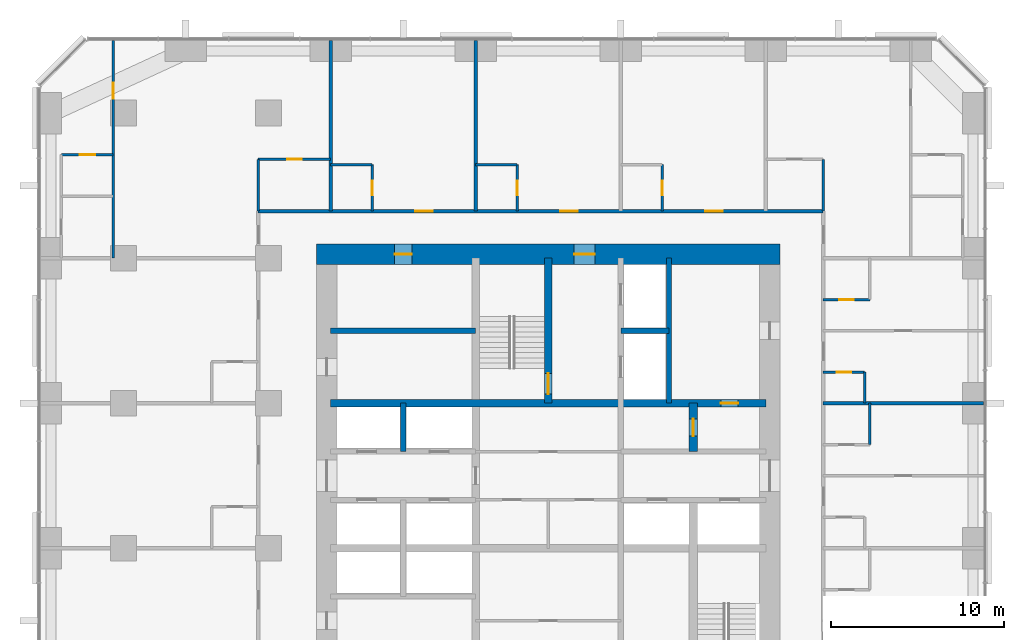
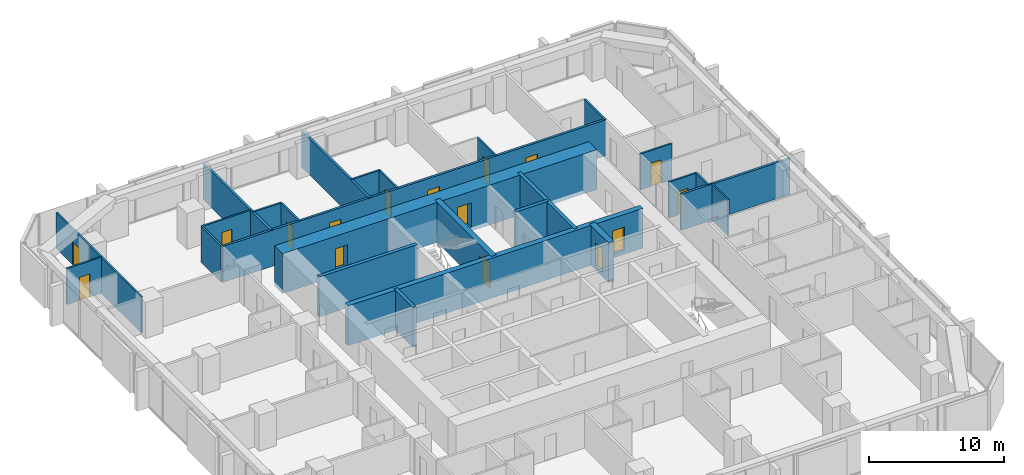
# One storey, part 11 of 13: 26 walls, 16 doors, 16 openings.
"""IFC4 building model written with IfcOpenShell, lengths in metres."""

from ifc_helpers import new_model, si_unit, direction, frame, frame_2d, origin, place, context, subcontext, project, spatial, rectangle, extrude, material, layer, layer_set, type_object, element, fill, save


model = new_model("IFC4")

# Units and contexts
model_context = context("Model", 3, precision=1e-05, world=origin(), true_north=direction((0.0, 1.0)))
body_context = subcontext(model_context, "Body", "Model", "MODEL_VIEW")
ifc_project = project(units=[si_unit("LENGTHUNIT", "METRE"), si_unit("AREAUNIT", "SQUARE_METRE"), si_unit("VOLUMEUNIT", "CUBIC_METRE"), si_unit("PLANEANGLEUNIT", "RADIAN"), si_unit("MASSUNIT", "GRAM", prefix="KILO")], contexts=[model_context])

# Site, building, storey
site_placement = place(None, origin())
site = spatial("IfcSite", under=ifc_project, at=site_placement, CompositionType="ELEMENT")
building_placement = place(site_placement, origin())
building = spatial("IfcBuilding", under=site, at=building_placement, Name="Dunama Terrace Hotel", CompositionType="ELEMENT")
storey_placement = place(building_placement, frame((0.0, 0.0, 115.199951171875)))
storey = spatial("IfcBuildingStorey", under=building, at=storey_placement, Name="L29", CompositionType="ELEMENT", Elevation=115.199951171875)

# Wall
ifc_material_1 = material(Name="Gypsum board partition", Category="masonry")
ifc_layer_1 = layer(ifc_material_1, 0.14990234375)
ifc_layer_set_1 = layer_set([ifc_layer_1], Name="Bathroom partition 150")
wall_type_1 = type_object("IfcWallType", Name="Bathroom partition 150", PredefinedType="PARTITIONING", material=ifc_layer_set_1)
wall_1_placement = place(storey_placement, frame((12.60009765625, 44.72509765625, 0.0), z_axis=(0.0, 0.0, 1.0), x_axis=(0.0, 1.0, 0.0)))
element("IfcWall", 1, at=wall_1_placement, inside=storey, type_object=wall_type_1, Name="Bathroom partition 150 L29", PredefinedType="PARTITIONING", context=body_context, shape_type="SweptSolid", body=[
    extrude(rectangle(XDim=3.0, YDim=0.14990234375, at=frame_2d((1.5, 0.0))), origin(), (0.0, 0.0, 1.0), 3.25),
])

# Wall, opening, door
wall_2_placement = place(storey_placement, frame((19.199951171875, 44.72509765625, 0.0), z_axis=(0.0, 0.0, 1.0), x_axis=(0.0, 1.0, 0.0)))
wall_2 = element("IfcWall", 2, at=wall_2_placement, inside=storey, type_object=wall_type_1, Name="Bathroom partition 150 L29", PredefinedType="PARTITIONING", context=body_context, shape_type="SweptSolid", body=[
    extrude(rectangle(XDim=2.699951171875, YDim=0.14990234375, at=frame_2d((1.35009765625, 0.0))), origin(), (0.0, 0.0, 1.0), 3.25),
])
opening_1_placement = place(wall_2_placement, frame((0.925048828125, 0.0, 0.0)))
opening_1 = element("IfcOpeningElement", 3, at=opening_1_placement, cuts=wall_2, Name="Opening L28-29-030", PredefinedType="OPENING", context=body_context, shape_type="SweptSolid", body=[
    extrude(rectangle(XDim=0.85009765625, YDim=2.10009765625, at=frame_2d((0.425048828125, 1.050048828125))), frame((0.0, 0.0849609375, 0.0), z_axis=(0.0, -1.0, 0.0), x_axis=(1.0, 0.0, 0.0)), (0.0, 0.0, 1.0), 0.169921875),
])
ifc_material_2 = material(Name="Timber door with steel frame", Category="steel")
door_type_1 = type_object("IfcDoorType", Name="Bathroom door 850", OperationType="SINGLE_SWING_LEFT", PredefinedType="DOOR", material=ifc_material_2)
door_1_placement = place(opening_1_placement, origin())
door_1 = element("IfcDoor", 4, at=door_1_placement, inside=storey, type_object=door_type_1, Name="Door to en-suite bathroom L28-29-030, type D2", OperationType="SINGLE_SWING_LEFT", OverallHeight=2.10009765625, OverallWidth=0.85009765625, PredefinedType="DOOR", context=body_context, shape_type="SweptSolid", body=[
    extrude(rectangle(XDim=0.85009765625, YDim=2.10009765625, at=frame_2d((0.425048828125, 1.050048828125))), frame((0.0, 0.02490234375, 0.0), z_axis=(0.0, -1.0, 0.0), x_axis=(1.0, 0.0, 0.0)), (0.0, 0.0, 1.0), 0.050048828125),
])
fill(opening_1, door_1)

wall_3_placement = place(storey_placement, frame((27.60009765625, 44.72509765625, 0.0), z_axis=(0.0, 0.0, 1.0), x_axis=(0.0, 1.0, 0.0)))
wall_3 = element("IfcWall", 5, at=wall_3_placement, inside=storey, type_object=wall_type_1, Name="Bathroom partition 150 L29", PredefinedType="PARTITIONING", context=body_context, shape_type="SweptSolid", body=[
    extrude(rectangle(XDim=2.699951171875, YDim=0.14990234375, at=frame_2d((1.35009765625, 0.0))), origin(), (0.0, 0.0, 1.0), 3.25),
])
opening_2_placement = place(wall_3_placement, frame((0.925048828125, 0.0, 0.0)))
opening_2 = element("IfcOpeningElement", 6, at=opening_2_placement, cuts=wall_3, Name="Opening L28-29-032", PredefinedType="OPENING", context=body_context, shape_type="SweptSolid", body=[
    extrude(rectangle(XDim=0.85009765625, YDim=2.10009765625, at=frame_2d((0.425048828125, 1.050048828125))), frame((0.0, 0.0849609375, 0.0), z_axis=(0.0, -1.0, 0.0), x_axis=(1.0, 0.0, 0.0)), (0.0, 0.0, 1.0), 0.169921875),
])
door_2_placement = place(opening_2_placement, origin())
door_2 = element("IfcDoor", 7, at=door_2_placement, inside=storey, type_object=door_type_1, Name="Door to en-suite bathroom L28-29-032, type D2", OperationType="SINGLE_SWING_LEFT", OverallHeight=2.10009765625, OverallWidth=0.85009765625, PredefinedType="DOOR", context=body_context, shape_type="SweptSolid", body=[
    extrude(rectangle(XDim=0.85009765625, YDim=2.10009765625, at=frame_2d((0.425048828125, 1.050048828125))), frame((0.0, 0.02490234375, 0.0), z_axis=(0.0, -1.0, 0.0), x_axis=(1.0, 0.0, 0.0)), (0.0, 0.0, 1.0), 0.050048828125),
])
fill(opening_2, door_2)

wall_4_placement = place(storey_placement, frame((36.0, 44.72509765625, 0.0), z_axis=(0.0, 0.0, 1.0), x_axis=(0.0, 1.0, 0.0)))
wall_4 = element("IfcWall", 8, at=wall_4_placement, inside=storey, type_object=wall_type_1, Name="Bathroom partition 150 L29", PredefinedType="PARTITIONING", context=body_context, shape_type="SweptSolid", body=[
    extrude(rectangle(XDim=2.699951171875, YDim=0.14990234375, at=frame_2d((1.35009765625, 0.0))), origin(), (0.0, 0.0, 1.0), 3.25),
])
opening_3_placement = place(wall_4_placement, frame((0.925048828125, 0.0, 0.0)))
opening_3 = element("IfcOpeningElement", 9, at=opening_3_placement, cuts=wall_4, Name="Opening L28-29-034", PredefinedType="OPENING", context=body_context, shape_type="SweptSolid", body=[
    extrude(rectangle(XDim=0.85009765625, YDim=2.10009765625, at=frame_2d((0.425048828125, 1.050048828125))), frame((0.0, 0.0849609375, 0.0), z_axis=(0.0, -1.0, 0.0), x_axis=(1.0, 0.0, 0.0)), (0.0, 0.0, 1.0), 0.169921875),
])
door_3_placement = place(opening_3_placement, origin())
door_3 = element("IfcDoor", 10, at=door_3_placement, inside=storey, type_object=door_type_1, Name="Door to en-suite bathroom L28-29-034, type D2", OperationType="SINGLE_SWING_LEFT", OverallHeight=2.10009765625, OverallWidth=0.85009765625, PredefinedType="DOOR", context=body_context, shape_type="SweptSolid", body=[
    extrude(rectangle(XDim=0.85009765625, YDim=2.10009765625, at=frame_2d((0.425048828125, 1.050048828125))), frame((0.0, 0.02490234375, 0.0), z_axis=(0.0, -1.0, 0.0), x_axis=(1.0, 0.0, 0.0)), (0.0, 0.0, 1.0), 0.050048828125),
])
fill(opening_3, door_3)

# Walls
wall_5_placement = place(storey_placement, frame((45.324951171875, 44.72509765625, 0.0), z_axis=(0.0, 0.0, 1.0), x_axis=(0.0, 1.0, 0.0)))
element("IfcWall", 11, at=wall_5_placement, inside=storey, type_object=wall_type_1, Name="Bathroom partition 150 L29", PredefinedType="PARTITIONING", context=body_context, shape_type="SweptSolid", body=[
    extrude(rectangle(XDim=3.0, YDim=0.14990234375, at=frame_2d((1.5, 0.0))), origin(), (0.0, 0.0, 1.0), 3.25),
])
wall_6_placement = place(storey_placement, frame((47.72509765625, 33.60009765625, 0.0), z_axis=(0.0, 0.0, 1.0), x_axis=(0.0, 1.0, 0.0)))
element("IfcWall", 12, at=wall_6_placement, inside=storey, type_object=wall_type_1, Name="Bathroom partition 150 L29", PredefinedType="PARTITIONING", context=body_context, shape_type="SweptSolid", body=[
    extrude(rectangle(XDim=1.7998046875, YDim=0.14990234375, at=frame_2d((0.89990234375, 0.0))), origin(), (0.0, 0.0, 1.0), 3.25),
])
wall_7_placement = place(storey_placement, frame((48.02490234375, 31.199951171875, 0.0), z_axis=(0.0, 0.0, 1.0), x_axis=(0.0, 1.0, 0.0)))
element("IfcWall", 13, at=wall_7_placement, inside=storey, type_object=wall_type_1, Name="Bathroom partition 150 L29", PredefinedType="PARTITIONING", context=body_context, shape_type="SweptSolid", body=[
    extrude(rectangle(XDim=2.400146484375, YDim=0.14990234375, at=frame_2d((1.2001953125, 0.0))), origin(), (0.0, 0.0, 1.0), 3.25),
])

# Wall, opening, door
wall_8_placement = place(storey_placement, frame((45.324951171875, 35.39990234375, 0.0), z_axis=(0.0, 0.0, 1.0), x_axis=(1.0, 0.0, 0.0)))
wall_8 = element("IfcWall", 14, at=wall_8_placement, inside=storey, type_object=wall_type_1, Name="Bathroom partition 150 L29", PredefinedType="PARTITIONING", context=body_context, shape_type="SweptSolid", body=[
    extrude(rectangle(XDim=2.400146484375, YDim=0.14990234375, at=frame_2d((1.2001953125, 0.0))), origin(), (0.0, 0.0, 1.0), 3.25),
])
opening_4_placement = place(wall_8_placement, frame((0.77490234375, 0.0, 0.0)))
opening_4 = element("IfcOpeningElement", 15, at=opening_4_placement, cuts=wall_8, Name="Opening L28-29-026", PredefinedType="OPENING", context=body_context, shape_type="SweptSolid", body=[
    extrude(rectangle(XDim=0.85009765625, YDim=2.10009765625, at=frame_2d((0.425048828125, 1.050048828125))), frame((0.0, 0.0849609375, 0.0), z_axis=(0.0, -1.0, 0.0), x_axis=(1.0, 0.0, 0.0)), (0.0, 0.0, 1.0), 0.169921875),
])
door_4_placement = place(opening_4_placement, frame((0.85009765625, 0.0, 0.0), z_axis=(0.0, 0.0, 1.0), x_axis=(-1.0, 0.0, 0.0)))
door_4 = element("IfcDoor", 16, at=door_4_placement, inside=storey, type_object=door_type_1, Name="Door to powder room L28-29-026, type D2", OperationType="SINGLE_SWING_RIGHT", OverallHeight=2.10009765625, OverallWidth=0.85009765625, PredefinedType="DOOR", context=body_context, shape_type="SweptSolid", body=[
    extrude(rectangle(XDim=0.85009765625, YDim=2.10009765625, at=frame_2d((0.425048828125, 1.050048828125))), frame((0.0, 0.025146484375, 0.0), z_axis=(0.0, -1.0, 0.0), x_axis=(1.0, 0.0, 0.0)), (0.0, 0.0, 1.0), 0.050048828125),
])
fill(opening_4, door_4)

wall_9_placement = place(storey_placement, frame((45.324951171875, 39.60009765625, 0.0), z_axis=(0.0, 0.0, 1.0), x_axis=(1.0, 0.0, 0.0)))
wall_9 = element("IfcWall", 17, at=wall_9_placement, inside=storey, type_object=wall_type_1, Name="Bathroom partition 150 L29", PredefinedType="PARTITIONING", context=body_context, shape_type="SweptSolid", body=[
    extrude(rectangle(XDim=2.699951171875, YDim=0.14990234375, at=frame_2d((1.35009765625, 0.0))), origin(), (0.0, 0.0, 1.0), 3.25),
])
opening_5_placement = place(wall_9_placement, frame((0.925048828125, 0.0, 0.0)))
opening_5 = element("IfcOpeningElement", 18, at=opening_5_placement, cuts=wall_9, Name="Opening L28-29-028", PredefinedType="OPENING", context=body_context, shape_type="SweptSolid", body=[
    extrude(rectangle(XDim=0.85009765625, YDim=2.10009765625, at=frame_2d((0.425048828125, 1.050048828125))), frame((0.0, 0.0849609375, 0.0), z_axis=(0.0, -1.0, 0.0), x_axis=(1.0, 0.0, 0.0)), (0.0, 0.0, 1.0), 0.169921875),
])
door_5_placement = place(opening_5_placement, origin())
door_5 = element("IfcDoor", 19, at=door_5_placement, inside=storey, type_object=door_type_1, Name="Door to en-suite bathroom L28-29-028, type D2", OperationType="SINGLE_SWING_LEFT", OverallHeight=2.10009765625, OverallWidth=0.85009765625, PredefinedType="DOOR", context=body_context, shape_type="SweptSolid", body=[
    extrude(rectangle(XDim=0.85009765625, YDim=2.10009765625, at=frame_2d((0.425048828125, 1.050048828125))), frame((0.0, 0.02490234375, 0.0), z_axis=(0.0, -1.0, 0.0), x_axis=(1.0, 0.0, 0.0)), (0.0, 0.0, 1.0), 0.050048828125),
])
fill(opening_5, door_5)

# Walls
wall_10_placement = place(storey_placement, frame((16.800048828125, 47.425048828125, 0.0), z_axis=(0.0, 0.0, 1.0), x_axis=(1.0, 0.0, 0.0)))
element("IfcWall", 20, at=wall_10_placement, inside=storey, type_object=wall_type_1, Name="Bathroom partition 150 L29", PredefinedType="PARTITIONING", context=body_context, shape_type="SweptSolid", body=[
    extrude(rectangle(XDim=2.39990234375, YDim=0.14990234375, at=frame_2d((1.199951171875, 0.0))), origin(), (0.0, 0.0, 1.0), 3.25),
])
wall_11_placement = place(storey_placement, frame((25.199951171875, 47.425048828125, 0.0), z_axis=(0.0, 0.0, 1.0), x_axis=(1.0, 0.0, 0.0)))
element("IfcWall", 21, at=wall_11_placement, inside=storey, type_object=wall_type_1, Name="Bathroom partition 150 L29", PredefinedType="PARTITIONING", context=body_context, shape_type="SweptSolid", body=[
    extrude(rectangle(XDim=2.400146484375, YDim=0.14990234375, at=frame_2d((1.2001953125, 0.0))), origin(), (0.0, 0.0, 1.0), 3.25),
])

# Wall, opening, door
wall_12_placement = place(storey_placement, frame((12.60009765625, 47.72509765625, 0.0), z_axis=(0.0, 0.0, 1.0), x_axis=(1.0, 0.0, 0.0)))
wall_12 = element("IfcWall", 22, at=wall_12_placement, inside=storey, type_object=wall_type_1, Name="Bathroom partition 150 L29", PredefinedType="PARTITIONING", context=body_context, shape_type="SweptSolid", body=[
    extrude(rectangle(XDim=4.199951171875, YDim=0.14990234375, at=frame_2d((2.10009765625, 0.0))), origin(), (0.0, 0.0, 1.0), 3.25),
])
opening_6_placement = place(wall_12_placement, frame((1.675048828125, 0.0, 0.0)))
opening_6 = element("IfcOpeningElement", 23, at=opening_6_placement, cuts=wall_12, Name="Opening L28-29-057", PredefinedType="OPENING", context=body_context, shape_type="SweptSolid", body=[
    extrude(rectangle(XDim=0.85009765625, YDim=2.10009765625, at=frame_2d((0.425048828125, 1.050048828125))), frame((0.0, 0.0849609375, 0.0), z_axis=(0.0, -1.0, 0.0), x_axis=(1.0, 0.0, 0.0)), (0.0, 0.0, 1.0), 0.169921875),
])
door_6_placement = place(opening_6_placement, frame((0.85009765625, 0.0, 0.0), z_axis=(0.0, 0.0, 1.0), x_axis=(-1.0, 0.0, 0.0)))
door_6 = element("IfcDoor", 24, at=door_6_placement, inside=storey, type_object=door_type_1, Name="Door to powder room L28-29-057, type D2", OperationType="SINGLE_SWING_LEFT", OverallHeight=2.10009765625, OverallWidth=0.85009765625, PredefinedType="DOOR", context=body_context, shape_type="SweptSolid", body=[
    extrude(rectangle(XDim=0.85009765625, YDim=2.10009765625, at=frame_2d((0.425048828125, 1.050048828125))), frame((0.0, 0.025146484375, 0.0), z_axis=(0.0, -1.0, 0.0), x_axis=(1.0, 0.0, 0.0)), (0.0, 0.0, 1.0), 0.050048828125),
])
fill(opening_6, door_6)

# Walls
ifc_material_3 = material(Name="Concrete C50/60", Category="concrete")
ifc_layer_2 = layer(ifc_material_3, 0.300048828125)
ifc_layer_set_2 = layer_set([ifc_layer_2], Name="Core inner wall 300")
wall_type_2 = type_object("IfcWallType", Name="Core inner wall 300", PredefinedType="SHEAR", material=ifc_layer_set_2)
wall_13_placement = place(storey_placement, frame((21.0, 30.800048828125, -0.349853515625), z_axis=(0.0, 0.0, 1.0), x_axis=(0.0, 1.0, 0.0)))
element("IfcWall", 25, at=wall_13_placement, inside=storey, type_object=wall_type_2, Name="Core inner wall 300 L29", PredefinedType="SHEAR", context=body_context, shape_type="SweptSolid", body=[
    extrude(rectangle(XDim=2.800048828125, YDim=0.300048828125, at=frame_2d((1.39990234375, 0.0))), origin(), (0.0, 0.0, 1.0), 3.599853515625),
])
for number, where, z_axis, x_axis, name in (
    (26, (36.39990234375, 33.60009765625, -0.349853515625), (0.0, 0.0, 1.0), (0.0, 1.0, 0.0), "Core inner wall 300 L29"),
    (27, (16.800048828125, 37.800048828125, -0.349853515625), (0.0, 0.0, 1.0), (1.0, 0.0, 0.0), "Core inner wall 300 L29"),
):
    element("IfcWall", number, at=place(storey_placement, frame(where, z_axis=z_axis, x_axis=x_axis)), inside=storey, type_object=wall_type_2, Name=name, PredefinedType="SHEAR", context=body_context, shape_type="SweptSolid", body=[
        extrude(rectangle(XDim=8.39990234375, YDim=0.300048828125, at=frame_2d((4.199951171875, 0.0))), origin(), (0.0, 0.0, 1.0), 3.599853515625),
    ])
wall_14_placement = place(storey_placement, frame((33.60009765625, 37.800048828125, -0.349853515625), z_axis=(0.0, 0.0, 1.0), x_axis=(1.0, 0.0, 0.0)))
element("IfcWall", 28, at=wall_14_placement, inside=storey, type_object=wall_type_2, Name="Core inner wall 300 L29", PredefinedType="SHEAR", context=body_context, shape_type="SweptSolid", body=[
    extrude(rectangle(XDim=2.7998046875, YDim=0.300048828125, at=frame_2d((1.39990234375, 0.0))), origin(), (0.0, 0.0, 1.0), 3.599853515625),
])

# Wall, opening, door
ifc_material_4 = material(Name="Concrete C50/60", Category="concrete")
ifc_layer_3 = layer(ifc_material_4, 0.449951171875)
ifc_layer_set_3 = layer_set([ifc_layer_3], Name="Core inner wall 450")
wall_type_3 = type_object("IfcWallType", Name="Core inner wall 450", PredefinedType="SHEAR", material=ifc_layer_set_3)
wall_15_placement = place(storey_placement, frame((29.39990234375, 33.60009765625, -0.349853515625), z_axis=(0.0, 0.0, 1.0), x_axis=(0.0, 1.0, 0.0)))
wall_15 = element("IfcWall", 29, at=wall_15_placement, inside=storey, type_object=wall_type_3, Name="Core inner wall 450 L29", PredefinedType="SHEAR", context=body_context, shape_type="SweptSolid", body=[
    extrude(rectangle(XDim=8.39990234375, YDim=0.449951171875, at=frame_2d((4.199951171875, 0.0))), origin(), (0.0, 0.0, 1.0), 3.599853515625),
])
opening_7_placement = place(wall_15_placement, frame((0.52490234375, 0.0, 0.35009765625)))
opening_7 = element("IfcOpeningElement", 30, at=opening_7_placement, cuts=wall_15, Name="Opening L28-29-001", PredefinedType="OPENING", context=body_context, shape_type="SweptSolid", body=[
    extrude(rectangle(XDim=1.199951171875, YDim=2.199951171875, at=frame_2d((0.60009765625, 1.10009765625))), frame((0.0, 0.23486328125, 0.0), z_axis=(0.0, -1.0, 0.0), x_axis=(1.0, 0.0, 0.0)), (0.0, 0.0, 1.0), 0.469970703125),
])
ifc_material_5 = material(Name="Timber door with steel frame", Category="steel")
door_type_2 = type_object("IfcDoorType", Name="Stair door 1200", OperationType="SINGLE_SWING_LEFT", PredefinedType="DOOR", material=ifc_material_5)
door_7_placement = place(opening_7_placement, origin())
door_7 = element("IfcDoor", 31, at=door_7_placement, inside=storey, type_object=door_type_2, Name="Stair door ST1 L28-29-001, type D5", OperationType="SINGLE_SWING_LEFT", OverallHeight=2.199951171875, OverallWidth=1.199951171875, PredefinedType="DOOR", context=body_context, shape_type="SweptSolid", body=[
    extrude(rectangle(XDim=1.199951171875, YDim=2.199951171875, at=frame_2d((0.60009765625, 1.10009765625))), frame((0.0, 0.02490234375, 0.0), z_axis=(0.0, -1.0, 0.0), x_axis=(1.0, 0.0, 0.0)), (0.0, 0.0, 1.0), 0.050048828125),
])
fill(opening_7, door_7)

wall_16_placement = place(storey_placement, frame((16.800048828125, 33.60009765625, -0.349853515625), z_axis=(0.0, 0.0, 1.0), x_axis=(1.0, 0.0, 0.0)))
wall_16 = element("IfcWall", 32, at=wall_16_placement, inside=storey, type_object=wall_type_3, Name="Core inner wall 450 L29", PredefinedType="SHEAR", context=body_context, shape_type="SweptSolid", body=[
    extrude(rectangle(XDim=25.199951171875, YDim=0.449951171875, at=frame_2d((12.60009765625, 0.0))), origin(), (0.0, 0.0, 1.0), 3.599853515625),
])
opening_8_placement = place(wall_16_placement, frame((22.60009765625, 0.0, 0.35009765625)))
opening_8 = element("IfcOpeningElement", 33, at=opening_8_placement, cuts=wall_16, Name="Opening L28-29-070", PredefinedType="OPENING", context=body_context, shape_type="SweptSolid", body=[
    extrude(rectangle(XDim=1.0, YDim=2.10009765625, at=frame_2d((0.5, 1.050048828125))), frame((0.0, 0.23486328125, 0.0), z_axis=(0.0, -1.0, 0.0), x_axis=(1.0, 0.0, 0.0)), (0.0, 0.0, 1.0), 0.469970703125),
])
ifc_material_6 = material(Name="Timber door with steel frame", Category="steel")
door_type_3 = type_object("IfcDoorType", Name="Service door 1000", OperationType="SINGLE_SWING_LEFT", PredefinedType="DOOR", material=ifc_material_6)
door_8_placement = place(opening_8_placement, frame((1.0, 0.0, 0.0), z_axis=(0.0, 0.0, 1.0), x_axis=(-1.0, 0.0, 0.0)))
door_8 = element("IfcDoor", 34, at=door_8_placement, inside=storey, type_object=door_type_3, Name="Door to housekeeping and linen store L28-29-070, type D7", OperationType="SINGLE_SWING_LEFT", OverallHeight=2.10009765625, OverallWidth=1.0, PredefinedType="DOOR", context=body_context, shape_type="SweptSolid", body=[
    extrude(rectangle(XDim=1.0, YDim=2.10009765625, at=frame_2d((0.5, 1.050048828125))), frame((0.0, 0.025146484375, 0.0), z_axis=(0.0, -1.0, 0.0), x_axis=(1.0, 0.0, 0.0)), (0.0, 0.0, 1.0), 0.050048828125),
])
fill(opening_8, door_8)

ifc_material_7 = material(Name="Concrete C50/60", Category="concrete")
ifc_layer_4 = layer(ifc_material_7, 0.5)
ifc_layer_set_4 = layer_set([ifc_layer_4], Name="Core inner wall 500")
wall_type_4 = type_object("IfcWallType", Name="Core inner wall 500", PredefinedType="SHEAR", material=ifc_layer_set_4)
wall_17_placement = place(storey_placement, frame((37.800048828125, 30.800048828125, -0.349853515625), z_axis=(0.0, 0.0, 1.0), x_axis=(0.0, 1.0, 0.0)))
wall_17 = element("IfcWall", 35, at=wall_17_placement, inside=storey, type_object=wall_type_4, Name="Core inner wall 500 L29", PredefinedType="SHEAR", context=body_context, shape_type="SweptSolid", body=[
    extrude(rectangle(XDim=2.800048828125, YDim=0.5, at=frame_2d((1.39990234375, 0.0))), origin(), (0.0, 0.0, 1.0), 3.599853515625),
])
opening_9_placement = place(wall_17_placement, frame((0.89990234375, 0.0, 0.35009765625)))
opening_9 = element("IfcOpeningElement", 36, at=opening_9_placement, cuts=wall_17, Name="Opening L28-29-069", PredefinedType="OPENING", context=body_context, shape_type="SweptSolid", body=[
    extrude(rectangle(XDim=1.0, YDim=2.10009765625, at=frame_2d((0.5, 1.050048828125))), frame((0.0, 0.260009765625, 0.0), z_axis=(0.0, -1.0, 0.0), x_axis=(1.0, 0.0, 0.0)), (0.0, 0.0, 1.0), 0.52001953125),
])
door_9_placement = place(opening_9_placement, frame((1.0, 0.0, 0.0), z_axis=(0.0, 0.0, 1.0), x_axis=(-1.0, 0.0, 0.0)))
door_9 = element("IfcDoor", 37, at=door_9_placement, inside=storey, type_object=door_type_3, Name="Door to service riser L28-29-069, type D7", OperationType="SINGLE_SWING_LEFT", OverallHeight=2.10009765625, OverallWidth=1.0, PredefinedType="DOOR", context=body_context, shape_type="SweptSolid", body=[
    extrude(rectangle(XDim=1.0, YDim=2.10009765625, at=frame_2d((0.5, 1.050048828125))), frame((0.0, 0.025146484375, 0.0), z_axis=(0.0, -1.0, 0.0), x_axis=(1.0, 0.0, 0.0)), (0.0, 0.0, 1.0), 0.050048828125),
])
fill(opening_9, door_9)

# Wall, openings, doors
ifc_material_8 = material(Name="Concrete C60/75", Category="concrete")
ifc_layer_5 = layer(ifc_material_8, 1.199951171875)
ifc_layer_set_5 = layer_set([ifc_layer_5], Name="Core wall 1200")
wall_type_5 = type_object("IfcWallType", Name="Core wall 1200", PredefinedType="SHEAR", material=ifc_layer_set_5)
wall_18_placement = place(storey_placement, frame((42.824951171875, 42.22509765625, -0.349853515625), z_axis=(0.0, 0.0, 1.0), x_axis=(-1.0, 0.0, 0.0)))
wall_18 = element("IfcWall", 38, at=wall_18_placement, inside=storey, type_object=wall_type_5, Name="Core wall north L29", PredefinedType="SHEAR", context=body_context, shape_type="SweptSolid", body=[
    extrude(rectangle(XDim=26.849853515625, YDim=1.199951171875, at=frame_2d((13.4248046875, 0.0))), origin(), (0.0, 0.0, 1.0), 3.599853515625),
])
opening_10_placement = place(wall_18_placement, frame((21.324951171875, 0.0, 0.35009765625)))
opening_10 = element("IfcOpeningElement", 39, at=opening_10_placement, cuts=wall_18, Name="Opening L28-29-064", PredefinedType="OPENING", context=body_context, shape_type="SweptSolid", body=[
    extrude(rectangle(XDim=1.0, YDim=2.10009765625, at=frame_2d((0.5, 1.050048828125))), frame((0.0, 0.60986328125, 0.0), z_axis=(0.0, -1.0, 0.0), x_axis=(1.0, 0.0, 0.0)), (0.0, 0.0, 1.0), 1.219970703125),
])
opening_11_placement = place(wall_18_placement, frame((10.72509765625, 0.0, 0.35009765625)))
opening_11 = element("IfcOpeningElement", 40, at=opening_11_placement, cuts=wall_18, Name="Opening L28-29-072", PredefinedType="OPENING", context=body_context, shape_type="SweptSolid", body=[
    extrude(rectangle(XDim=1.199951171875, YDim=2.199951171875, at=frame_2d((0.60009765625, 1.10009765625))), frame((0.0, 0.60986328125, 0.0), z_axis=(0.0, -1.0, 0.0), x_axis=(1.0, 0.0, 0.0)), (0.0, 0.0, 1.0), 1.219970703125),
])
ifc_material_9 = material(Name="Timber door with steel frame", Category="steel")
door_type_4 = type_object("IfcDoorType", Name="Firefighting lobby door 1200", OperationType="SINGLE_SWING_LEFT", PredefinedType="DOOR", material=ifc_material_9)
door_10_placement = place(opening_11_placement, origin())
door_10 = element("IfcDoor", 41, at=door_10_placement, inside=storey, type_object=door_type_4, Name="Door to firefighting lobby L28-29-072, type D4", OperationType="SINGLE_SWING_RIGHT", OverallHeight=2.199951171875, OverallWidth=1.199951171875, PredefinedType="DOOR", context=body_context, shape_type="SweptSolid", body=[
    extrude(rectangle(XDim=1.199951171875, YDim=2.199951171875, at=frame_2d((0.60009765625, 1.10009765625))), frame((0.0, 0.02490234375, 0.0), z_axis=(0.0, -1.0, 0.0), x_axis=(1.0, 0.0, 0.0)), (0.0, 0.0, 1.0), 0.050048828125),
])
fill(opening_11, door_10)
door_11_placement = place(opening_10_placement, origin())
door_11 = element("IfcDoor", 42, at=door_11_placement, inside=storey, type_object=door_type_3, Name="Door to communications and riser room L28-29-064, type D7", OperationType="SINGLE_SWING_LEFT", OverallHeight=2.10009765625, OverallWidth=1.0, PredefinedType="DOOR", context=body_context, shape_type="SweptSolid", body=[
    extrude(rectangle(XDim=1.0, YDim=2.10009765625, at=frame_2d((0.5, 1.050048828125))), frame((0.0, 0.02490234375, 0.0), z_axis=(0.0, -1.0, 0.0), x_axis=(1.0, 0.0, 0.0)), (0.0, 0.0, 1.0), 0.050048828125),
])
fill(opening_10, door_11)

ifc_material_10 = material(Name="Concrete blockwork", Category="masonry")
ifc_layer_6 = layer(ifc_material_10, 0.199951171875)
ifc_layer_set_6 = layer_set([ifc_layer_6], Name="Corridor partition 200")
wall_type_6 = type_object("IfcWallType", Name="Corridor partition 200", PredefinedType="PARTITIONING", material=ifc_layer_set_6)
wall_19_placement = place(storey_placement, frame((12.60009765625, 44.72509765625, 0.0), z_axis=(0.0, 0.0, 1.0), x_axis=(1.0, 0.0, 0.0)))
wall_19 = element("IfcWall", 43, at=wall_19_placement, inside=storey, type_object=wall_type_6, Name="Corridor partition 200 L29", PredefinedType="PARTITIONING", context=body_context, shape_type="SweptSolid", body=[
    extrude(rectangle(XDim=32.724853515625, YDim=0.199951171875, at=frame_2d((16.3623046875, 0.0))), origin(), (0.0, 0.0, 1.0), 3.25),
])
opening_12_placement = place(wall_19_placement, frame((9.10009765625, 0.0, 0.0)))
opening_12 = element("IfcOpeningElement", 44, at=opening_12_placement, cuts=wall_19, Name="Opening L28-29-029", PredefinedType="OPENING", context=body_context, shape_type="SweptSolid", body=[
    extrude(rectangle(XDim=1.0, YDim=2.199951171875, at=frame_2d((0.5, 1.10009765625))), frame((0.0, 0.10986328125, 0.0), z_axis=(0.0, -1.0, 0.0), x_axis=(1.0, 0.0, 0.0)), (0.0, 0.0, 1.0), 0.219970703125),
])
opening_13_placement = place(wall_19_placement, frame((17.5, 0.0, 0.0)))
opening_13 = element("IfcOpeningElement", 45, at=opening_13_placement, cuts=wall_19, Name="Opening L28-29-031", PredefinedType="OPENING", context=body_context, shape_type="SweptSolid", body=[
    extrude(rectangle(XDim=1.0, YDim=2.199951171875, at=frame_2d((0.5, 1.10009765625))), frame((0.0, 0.10986328125, 0.0), z_axis=(0.0, -1.0, 0.0), x_axis=(1.0, 0.0, 0.0)), (0.0, 0.0, 1.0), 0.219970703125),
])
opening_14_placement = place(wall_19_placement, frame((25.89990234375, 0.0, 0.0)))
opening_14 = element("IfcOpeningElement", 46, at=opening_14_placement, cuts=wall_19, Name="Opening L28-29-033", PredefinedType="OPENING", context=body_context, shape_type="SweptSolid", body=[
    extrude(rectangle(XDim=1.0, YDim=2.199951171875, at=frame_2d((0.5, 1.10009765625))), frame((0.0, 0.10986328125, 0.0), z_axis=(0.0, -1.0, 0.0), x_axis=(1.0, 0.0, 0.0)), (0.0, 0.0, 1.0), 0.219970703125),
])
ifc_material_11 = material(Name="Timber door with steel frame", Category="steel")
door_type_5 = type_object("IfcDoorType", Name="Guest room door 1000", OperationType="SINGLE_SWING_LEFT", PredefinedType="DOOR", material=ifc_material_11)
door_12_placement = place(opening_12_placement, origin())
door_12 = element("IfcDoor", 47, at=door_12_placement, inside=storey, type_object=door_type_5, Name="Door to junior suite L28-29-029, type D1", OperationType="SINGLE_SWING_LEFT", OverallHeight=2.199951171875, OverallWidth=1.0, PredefinedType="DOOR", context=body_context, shape_type="SweptSolid", body=[
    extrude(rectangle(XDim=1.0, YDim=2.199951171875, at=frame_2d((0.5, 1.10009765625))), frame((0.0, 0.02490234375, 0.0), z_axis=(0.0, -1.0, 0.0), x_axis=(1.0, 0.0, 0.0)), (0.0, 0.0, 1.0), 0.050048828125),
])
fill(opening_12, door_12)
door_13_placement = place(opening_13_placement, origin())
door_13 = element("IfcDoor", 48, at=door_13_placement, inside=storey, type_object=door_type_5, Name="Door to junior suite L28-29-031, type D1", OperationType="SINGLE_SWING_LEFT", OverallHeight=2.199951171875, OverallWidth=1.0, PredefinedType="DOOR", context=body_context, shape_type="SweptSolid", body=[
    extrude(rectangle(XDim=1.0, YDim=2.199951171875, at=frame_2d((0.5, 1.10009765625))), frame((0.0, 0.02490234375, 0.0), z_axis=(0.0, -1.0, 0.0), x_axis=(1.0, 0.0, 0.0)), (0.0, 0.0, 1.0), 0.050048828125),
])
fill(opening_13, door_13)
door_14_placement = place(opening_14_placement, origin())
door_14 = element("IfcDoor", 49, at=door_14_placement, inside=storey, type_object=door_type_5, Name="Door to junior suite L28-29-033, type D1", OperationType="SINGLE_SWING_LEFT", OverallHeight=2.199951171875, OverallWidth=1.0, PredefinedType="DOOR", context=body_context, shape_type="SweptSolid", body=[
    extrude(rectangle(XDim=1.0, YDim=2.199951171875, at=frame_2d((0.5, 1.10009765625))), frame((0.0, 0.02490234375, 0.0), z_axis=(0.0, -1.0, 0.0), x_axis=(1.0, 0.0, 0.0)), (0.0, 0.0, 1.0), 0.050048828125),
])
fill(opening_14, door_14)

# Walls
ifc_material_12 = material(Name="Concrete blockwork", Category="masonry")
ifc_layer_7 = layer(ifc_material_12, 0.199951171875)
ifc_layer_set_7 = layer_set([ifc_layer_7], Name="Party wall 200")
wall_type_7 = type_object("IfcWallType", Name="Party wall 200", PredefinedType="PARTITIONING", material=ifc_layer_set_7)
for number, where, z_axis, x_axis, name in (
    (50, (16.800048828125, 44.72509765625, 0.0), (0.0, 0.0, 1.0), (0.0, 1.0, 0.0), "Party wall 200 L29"),
    (51, (25.199951171875, 44.72509765625, 0.0), (0.0, 0.0, 1.0), (0.0, 1.0, 0.0), "Party wall 200 L29"),
):
    element("IfcWall", number, at=place(storey_placement, frame(where, z_axis=z_axis, x_axis=x_axis)), inside=storey, type_object=wall_type_7, Name=name, PredefinedType="PARTITIONING", context=body_context, shape_type="SweptSolid", body=[
        extrude(rectangle(XDim=9.892822265625, YDim=0.199951171875, at=frame_2d((4.9462890625, 0.0))), origin(), (0.0, 0.0, 1.0), 3.25),
    ])
wall_20_placement = place(storey_placement, frame((45.324951171875, 33.60009765625, 0.0), z_axis=(0.0, 0.0, 1.0), x_axis=(1.0, 0.0, 0.0)))
element("IfcWall", 52, at=wall_20_placement, inside=storey, type_object=wall_type_7, Name="Party wall 200 L29", PredefinedType="PARTITIONING", context=body_context, shape_type="SweptSolid", body=[
    extrude(rectangle(XDim=9.29296875, YDim=0.199951171875, at=frame_2d((4.646484375, 0.0))), origin(), (0.0, 0.0, 1.0), 3.25),
])

# Wall, opening, door
ifc_material_13 = material(Name="Gypsum board partition", Category="masonry")
ifc_layer_8 = layer(ifc_material_13, 0.14990234375)
ifc_layer_set_8 = layer_set([ifc_layer_8], Name="Room partition 150")
wall_type_8 = type_object("IfcWallType", Name="Room partition 150", PredefinedType="PARTITIONING", material=ifc_layer_set_8)
wall_21_placement = place(storey_placement, frame((4.199951171875, 42.0, 0.0), z_axis=(0.0, 0.0, 1.0), x_axis=(0.0, 1.0, 0.0)))
wall_21 = element("IfcWall", 53, at=wall_21_placement, inside=storey, type_object=wall_type_8, Name="Room partition 150 L29", PredefinedType="PARTITIONING", context=body_context, shape_type="SweptSolid", body=[
    extrude(rectangle(XDim=12.617919921875, YDim=0.14990234375, at=frame_2d((6.30908203125, 0.0))), origin(), (0.0, 0.0, 1.0), 3.25),
])
opening_15_placement = place(wall_21_placement, frame((9.25, 0.0, 0.0)))
opening_15 = element("IfcOpeningElement", 54, at=opening_15_placement, cuts=wall_21, Name="Opening L28-29-058", PredefinedType="OPENING", context=body_context, shape_type="SweptSolid", body=[
    extrude(rectangle(XDim=0.89990234375, YDim=2.10009765625, at=frame_2d((0.449951171875, 1.050048828125))), frame((0.0, 0.0849609375, 0.0), z_axis=(0.0, -1.0, 0.0), x_axis=(1.0, 0.0, 0.0)), (0.0, 0.0, 1.0), 0.169921875),
])
ifc_material_14 = material(Name="Timber door with steel frame", Category="steel")
door_type_6 = type_object("IfcDoorType", Name="Suite internal door 900", OperationType="SINGLE_SWING_LEFT", PredefinedType="DOOR", material=ifc_material_14)
door_15_placement = place(opening_15_placement, origin())
door_15 = element("IfcDoor", 55, at=door_15_placement, inside=storey, type_object=door_type_6, Name="Door to corner suite bedroom L28-29-058, type D16", OperationType="SINGLE_SWING_LEFT", OverallHeight=2.10009765625, OverallWidth=0.89990234375, PredefinedType="DOOR", context=body_context, shape_type="SweptSolid", body=[
    extrude(rectangle(XDim=0.89990234375, YDim=2.10009765625, at=frame_2d((0.449951171875, 1.050048828125))), frame((0.0, 0.02490234375, 0.0), z_axis=(0.0, -1.0, 0.0), x_axis=(1.0, 0.0, 0.0)), (0.0, 0.0, 1.0), 0.050048828125),
])
fill(opening_15, door_15)

wall_22_placement = place(storey_placement, frame((1.199951171875, 48.0, 0.0), z_axis=(0.0, 0.0, 1.0), x_axis=(1.0, 0.0, 0.0)))
wall_22 = element("IfcWall", 56, at=wall_22_placement, inside=storey, type_object=wall_type_8, Name="Room partition 150 L29", PredefinedType="PARTITIONING", context=body_context, shape_type="SweptSolid", body=[
    extrude(rectangle(XDim=3.0, YDim=0.14990234375, at=frame_2d((1.5, 0.0))), origin(), (0.0, 0.0, 1.0), 3.25),
])
opening_16_placement = place(wall_22_placement, frame((1.050048828125, 0.0, 0.0)))
opening_16 = element("IfcOpeningElement", 57, at=opening_16_placement, cuts=wall_22, Name="Opening L28-29-060", PredefinedType="OPENING", context=body_context, shape_type="SweptSolid", body=[
    extrude(rectangle(XDim=0.89990234375, YDim=2.10009765625, at=frame_2d((0.449951171875, 1.050048828125))), frame((0.0, 0.0849609375, 0.0), z_axis=(0.0, -1.0, 0.0), x_axis=(1.0, 0.0, 0.0)), (0.0, 0.0, 1.0), 0.169921875),
])
door_16_placement = place(opening_16_placement, frame((0.89990234375, 0.0, 0.0), z_axis=(0.0, 0.0, 1.0), x_axis=(-1.0, 0.0, 0.0)))
door_16 = element("IfcDoor", 58, at=door_16_placement, inside=storey, type_object=door_type_6, Name="Door to dressing room L28-29-060, type D16", OperationType="SINGLE_SWING_RIGHT", OverallHeight=2.10009765625, OverallWidth=0.89990234375, PredefinedType="DOOR", context=body_context, shape_type="SweptSolid", body=[
    extrude(rectangle(XDim=0.89990234375, YDim=2.10009765625, at=frame_2d((0.449951171875, 1.050048828125))), frame((0.0, 0.025146484375, 0.0), z_axis=(0.0, -1.0, 0.0), x_axis=(1.0, 0.0, 0.0)), (0.0, 0.0, 1.0), 0.050048828125),
])
fill(opening_16, door_16)

save(model, "model.ifc")
